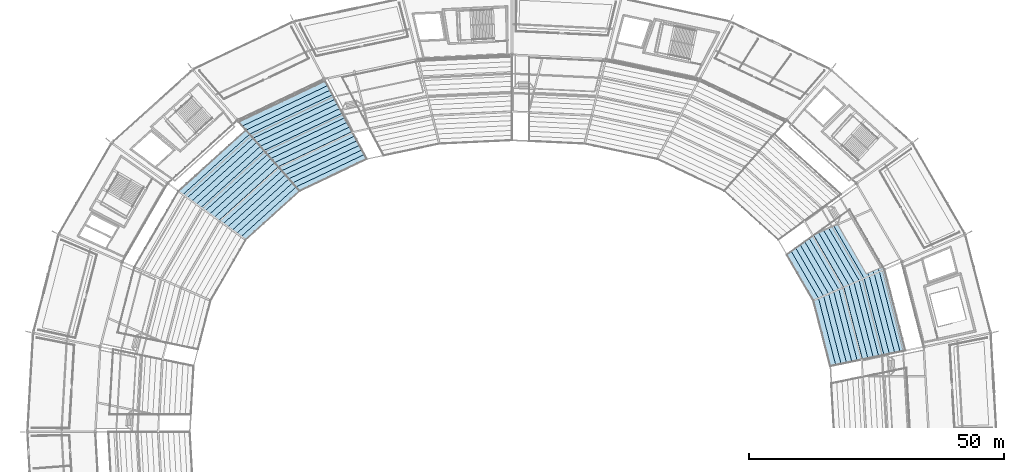
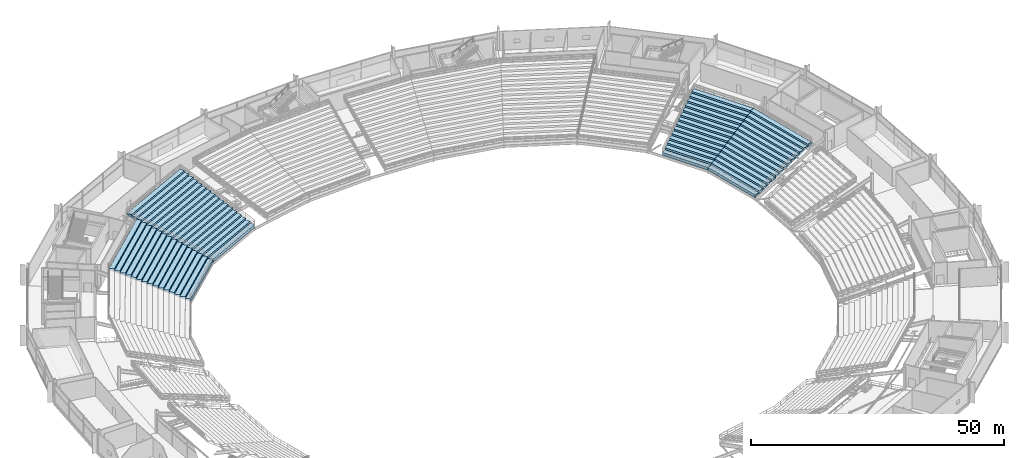
# One storey, part 137 of 186: 4 slabs.
"""IFC4 building model written with IfcOpenShell, lengths in metres."""

from ifc_helpers import new_model, si_unit, direction, frame, origin, place, context, subcontext, project, spatial, polygons, material, layer, layer_set, type_object, element, save


model = new_model("IFC4")

# Units and contexts
model_context = context("Model", 3, precision=1e-05, world=origin(), true_north=direction((0.0, 1.0)))
body_context = subcontext(model_context, "Body", "Model", "MODEL_VIEW")
ifc_project = project(units=[si_unit("LENGTHUNIT", "METRE"), si_unit("AREAUNIT", "SQUARE_METRE"), si_unit("VOLUMEUNIT", "CUBIC_METRE"), si_unit("PLANEANGLEUNIT", "RADIAN"), si_unit("MASSUNIT", "GRAM", prefix="KILO")], contexts=[model_context])

# Site, building, storey
site_placement = place(None, origin())
site = spatial("IfcSite", under=ifc_project, at=site_placement, CompositionType="ELEMENT")
building_placement = place(site_placement, origin())
building = spatial("IfcBuilding", under=site, at=building_placement, Name="Kazemori Nagisa Stadium", CompositionType="ELEMENT")
storey_placement = place(building_placement, frame((0.0, 0.0, 20.39990234375)))
storey = spatial("IfcBuildingStorey", under=building, at=storey_placement, Name="L04", CompositionType="ELEMENT", Elevation=20.39990234375)

# Slabs
ifc_material = material(Name="Concrete C36/45 (Fc36)", Category="concrete")
ifc_layer_1 = layer(ifc_material, 6.419921875, Name="Concrete C36/45 (Fc36)", Category="concrete")
ifc_layer_set_1 = layer_set([ifc_layer_1], Name="Concrete C36/45 (Fc36)")
slab_type_1 = type_object("IfcSlabType", Name="SeatingTier_ST-UP-14E", PredefinedType="USERDEFINED", material=ifc_layer_set_1)
slab_1_placement = place(storey_placement, frame((0.0, 0.0, -20.39990234375)))
element("IfcSlab", 1, at=slab_1_placement, inside=storey, type_object=slab_type_1, Name="Stand upper tier bay 02", ObjectType="SEATING TIER", PredefinedType="USERDEFINED", context=body_context, shape_type="Tessellation", body=[
    polygons([(182.1083984375, 127.7685546875, 18.820068359375), (182.1083984375, 127.7685546875, 19.52001953125), (183.10400390625, 128.20263671875, 19.52001953125), (183.10400390625, 128.20263671875, 19.9599609375), (184.099365234375, 128.636474609375, 19.9599609375), (184.099365234375, 128.636474609375, 20.39990234375), (185.094970703125, 129.070556640625, 20.39990234375), (185.094970703125, 129.070556640625, 20.83984375), (186.090576171875, 129.504638671875, 20.83984375), (186.090576171875, 129.504638671875, 21.27978515625), (187.0859375, 129.9384765625, 21.27978515625), (187.0859375, 129.9384765625, 21.7197265625), (188.08154296875, 130.37255859375, 21.7197265625), (188.08154296875, 130.37255859375, 22.15966796875), (189.0771484375, 130.806640625, 22.15966796875), (189.0771484375, 130.806640625, 22.599609375), (190.072509765625, 131.240478515625, 22.599609375), (190.072509765625, 131.240478515625, 23.03955078125), (191.068115234375, 131.674560546875, 23.03955078125), (191.068115234375, 131.674560546875, 23.4794921875), (192.0634765625, 132.1083984375, 23.4794921875), (192.0634765625, 132.1083984375, 23.91943359375), (193.05908203125, 132.54248046875, 23.91943359375), (193.05908203125, 132.54248046875, 24.359375), (194.0546875, 132.9765625, 24.359375), (194.0546875, 132.9765625, 24.79931640625), (195.050048828125, 133.410400390625, 24.79931640625), (195.050048828125, 133.410400390625, 25.2392578125), (196.045654296875, 133.844482421875, 25.2392578125), (196.045654296875, 133.844482421875, 24.979248046875), (195.050048828125, 133.410400390625, 24.539306640625), (194.0546875, 132.9765625, 24.099365234375), (193.05908203125, 132.54248046875, 23.659423828125), (192.0634765625, 132.1083984375, 23.219482421875), (191.068115234375, 131.674560546875, 22.779541015625), (190.072509765625, 131.240478515625, 22.339599609375), (189.0771484375, 130.806640625, 21.899658203125), (188.08154296875, 130.37255859375, 21.459716796875), (187.0859375, 129.9384765625, 21.019775390625), (186.090576171875, 129.504638671875, 20.579833984375), (185.094970703125, 129.070556640625, 20.139892578125), (184.099365234375, 128.636474609375, 19.699951171875), (183.10400390625, 128.20263671875, 19.260009765625), (185.4306640625, 114.8994140625, 18.820068359375), (185.4306640625, 114.8994140625, 19.52001953125), (186.482177734375, 115.11669921875, 19.52001953125), (186.482177734375, 115.11669921875, 19.9599609375), (187.53369140625, 115.333984375, 19.9599609375), (187.53369140625, 115.333984375, 20.39990234375), (188.5849609375, 115.55126953125, 20.39990234375), (188.5849609375, 115.55126953125, 20.83984375), (189.636474609375, 115.768310546875, 20.83984375), (189.636474609375, 115.768310546875, 21.27978515625), (190.68798828125, 115.985595703125, 21.27978515625), (190.68798828125, 115.985595703125, 21.7197265625), (191.739501953125, 116.202880859375, 21.7197265625), (191.739501953125, 116.202880859375, 22.15966796875), (192.791015625, 116.420166015625, 22.15966796875), (192.791015625, 116.420166015625, 22.599609375), (193.84228515625, 116.637451171875, 22.599609375), (193.84228515625, 116.637451171875, 23.03955078125), (194.893798828125, 116.854736328125, 23.03955078125), (194.893798828125, 116.854736328125, 23.4794921875), (195.9453125, 117.072021484375, 23.4794921875), (195.9453125, 117.072021484375, 23.91943359375), (196.996826171875, 117.2890625, 23.91943359375), (196.996826171875, 117.2890625, 24.359375), (198.048095703125, 117.50634765625, 24.359375), (198.048095703125, 117.50634765625, 24.79931640625), (199.099609375, 117.7236328125, 24.79931640625), (199.099609375, 117.7236328125, 25.2392578125), (200.151123046875, 117.94091796875, 25.2392578125), (200.151123046875, 117.94091796875, 24.979248046875), (199.099609375, 117.7236328125, 24.539306640625), (198.048095703125, 117.50634765625, 24.099365234375), (196.996826171875, 117.2890625, 23.659423828125), (195.9453125, 117.072021484375, 23.219482421875), (194.893798828125, 116.854736328125, 22.779541015625), (193.84228515625, 116.637451171875, 22.339599609375), (192.791015625, 116.420166015625, 21.899658203125), (191.739501953125, 116.202880859375, 21.459716796875), (190.68798828125, 115.985595703125, 21.019775390625), (189.636474609375, 115.768310546875, 20.579833984375), (188.5849609375, 115.55126953125, 20.139892578125), (187.53369140625, 115.333984375, 19.699951171875), (186.482177734375, 115.11669921875, 19.260009765625)], [[[1, 44, 45]], [[1, 45, 2]], [[2, 45, 46]], [[2, 46, 3]], [[3, 46, 47]], [[3, 47, 4]], [[4, 47, 48]], [[4, 48, 5]], [[5, 48, 49]], [[5, 49, 6]], [[6, 49, 50]], [[6, 50, 7]], [[7, 50, 51]], [[7, 51, 8]], [[8, 51, 52]], [[8, 52, 9]], [[9, 52, 53]], [[9, 53, 10]], [[10, 53, 54]], [[10, 54, 11]], [[11, 54, 55]], [[11, 55, 12]], [[12, 55, 56]], [[12, 56, 13]], [[13, 56, 57]], [[13, 57, 14]], [[14, 57, 58]], [[14, 58, 15]], [[15, 58, 59]], [[15, 59, 16]], [[16, 59, 60]], [[16, 60, 17]], [[17, 60, 61]], [[17, 61, 18]], [[18, 61, 62]], [[18, 62, 19]], [[19, 62, 63]], [[19, 63, 20]], [[20, 63, 64]], [[20, 64, 21]], [[21, 64, 65]], [[21, 65, 22]], [[22, 65, 66]], [[22, 66, 23]], [[23, 66, 67]], [[23, 67, 24]], [[24, 67, 68]], [[24, 68, 25]], [[25, 68, 69]], [[25, 69, 26]], [[26, 69, 70]], [[26, 70, 27]], [[27, 70, 71]], [[27, 71, 28]], [[28, 71, 72]], [[28, 72, 29]], [[29, 72, 73]], [[29, 73, 30]], [[30, 73, 31]], [[31, 73, 74]], [[31, 74, 32]], [[32, 74, 75]], [[32, 75, 33]], [[33, 75, 76]], [[33, 76, 34]], [[34, 76, 77]], [[34, 77, 35]], [[35, 77, 78]], [[35, 78, 36]], [[36, 78, 79]], [[36, 79, 37]], [[37, 79, 80]], [[37, 80, 38]], [[38, 80, 81]], [[38, 81, 39]], [[39, 81, 82]], [[39, 82, 40]], [[40, 82, 83]], [[40, 83, 41]], [[41, 83, 84]], [[41, 84, 42]], [[42, 84, 85]], [[42, 85, 43]], [[43, 85, 86]], [[43, 86, 1]], [[1, 86, 44]], [[1, 2, 3]], [[46, 45, 44]], [[1, 3, 43]], [[86, 46, 44]], [[43, 3, 42]], [[85, 46, 86]], [[42, 3, 5]], [[48, 46, 85]], [[3, 4, 5]], [[48, 47, 46]], [[42, 5, 41]], [[84, 48, 85]], [[41, 5, 7]], [[50, 48, 84]], [[5, 6, 7]], [[50, 49, 48]], [[41, 7, 40]], [[83, 50, 84]], [[40, 7, 9]], [[52, 50, 83]], [[7, 8, 9]], [[52, 51, 50]], [[40, 9, 39]], [[82, 52, 83]], [[39, 9, 11]], [[54, 52, 82]], [[9, 10, 11]], [[54, 53, 52]], [[39, 11, 38]], [[81, 54, 82]], [[38, 11, 13]], [[56, 54, 81]], [[11, 12, 13]], [[56, 55, 54]], [[38, 13, 37]], [[80, 56, 81]], [[37, 13, 15]], [[58, 56, 80]], [[13, 14, 15]], [[58, 57, 56]], [[37, 15, 36]], [[79, 58, 80]], [[36, 15, 17]], [[60, 58, 79]], [[15, 16, 17]], [[60, 59, 58]], [[36, 17, 35]], [[78, 60, 79]], [[35, 17, 19]], [[62, 60, 78]], [[17, 18, 19]], [[62, 61, 60]], [[35, 19, 34]], [[77, 62, 78]], [[34, 19, 21]], [[64, 62, 77]], [[19, 20, 21]], [[64, 63, 62]], [[34, 21, 33]], [[76, 64, 77]], [[33, 21, 23]], [[66, 64, 76]], [[21, 22, 23]], [[66, 65, 64]], [[33, 23, 32]], [[75, 66, 76]], [[32, 23, 25]], [[68, 66, 75]], [[23, 24, 25]], [[68, 67, 66]], [[32, 25, 31]], [[74, 68, 75]], [[31, 25, 27]], [[70, 68, 74]], [[25, 26, 27]], [[70, 69, 68]], [[31, 27, 30]], [[73, 70, 74]], [[30, 27, 29]], [[72, 70, 73]], [[27, 28, 29]], [[72, 71, 70]]], closed=True),
])
slab_2_placement = place(storey_placement, frame((0.0, 0.0, -20.39990234375)))
element("IfcSlab", 2, at=slab_2_placement, inside=storey, type_object=slab_type_1, Name="Stand upper tier bay 03", ObjectType="SEATING TIER", PredefinedType="USERDEFINED", context=body_context, shape_type="Tessellation", body=[
    polygons([(176.90478515625, 136.74267578125, 18.820068359375), (176.90478515625, 136.74267578125, 19.52001953125), (177.783935546875, 137.37744140625, 19.52001953125), (177.783935546875, 137.37744140625, 19.9599609375), (178.6630859375, 138.011962890625, 19.9599609375), (178.6630859375, 138.011962890625, 20.39990234375), (179.542236328125, 138.646728515625, 20.39990234375), (179.542236328125, 138.646728515625, 20.83984375), (180.42138671875, 139.281494140625, 20.83984375), (180.42138671875, 139.281494140625, 21.27978515625), (181.300537109375, 139.916015625, 21.27978515625), (181.300537109375, 139.916015625, 21.7197265625), (182.1796875, 140.55078125, 21.7197265625), (182.1796875, 140.55078125, 22.15966796875), (183.058837890625, 141.185546875, 22.15966796875), (183.058837890625, 141.185546875, 22.599609375), (183.93798828125, 141.820068359375, 22.599609375), (183.93798828125, 141.820068359375, 23.03955078125), (184.817138671875, 142.454833984375, 23.03955078125), (184.817138671875, 142.454833984375, 23.4794921875), (185.6962890625, 143.08935546875, 23.4794921875), (185.6962890625, 143.08935546875, 23.91943359375), (186.575439453125, 143.72412109375, 23.91943359375), (186.575439453125, 143.72412109375, 24.359375), (187.45458984375, 144.35888671875, 24.359375), (187.45458984375, 144.35888671875, 24.79931640625), (188.333740234375, 144.993408203125, 24.79931640625), (188.333740234375, 144.993408203125, 25.2392578125), (189.212890625, 145.628173828125, 25.2392578125), (189.212890625, 145.628173828125, 24.979248046875), (188.333740234375, 144.993408203125, 24.539306640625), (187.45458984375, 144.35888671875, 24.099365234375), (186.575439453125, 143.72412109375, 23.659423828125), (185.6962890625, 143.08935546875, 23.219482421875), (184.817138671875, 142.454833984375, 22.779541015625), (183.93798828125, 141.820068359375, 22.339599609375), (183.058837890625, 141.185546875, 21.899658203125), (182.1796875, 140.55078125, 21.459716796875), (181.300537109375, 139.916015625, 21.019775390625), (180.42138671875, 139.281494140625, 20.579833984375), (179.542236328125, 138.646728515625, 20.139892578125), (178.6630859375, 138.011962890625, 19.699951171875), (177.783935546875, 137.37744140625, 19.260009765625), (182.1083984375, 127.7685546875, 18.820068359375), (182.1083984375, 127.7685546875, 19.52001953125), (183.10400390625, 128.20263671875, 19.52001953125), (183.10400390625, 128.20263671875, 19.9599609375), (184.099365234375, 128.636474609375, 19.9599609375), (184.099365234375, 128.636474609375, 20.39990234375), (185.094970703125, 129.070556640625, 20.39990234375), (185.094970703125, 129.070556640625, 20.83984375), (186.090576171875, 129.504638671875, 20.83984375), (186.090576171875, 129.504638671875, 21.27978515625), (187.0859375, 129.9384765625, 21.27978515625), (187.0859375, 129.9384765625, 21.7197265625), (188.08154296875, 130.37255859375, 21.7197265625), (188.08154296875, 130.37255859375, 22.15966796875), (189.0771484375, 130.806640625, 22.15966796875), (189.0771484375, 130.806640625, 22.599609375), (190.072509765625, 131.240478515625, 22.599609375), (190.072509765625, 131.240478515625, 23.03955078125), (191.068115234375, 131.674560546875, 23.03955078125), (191.068115234375, 131.674560546875, 23.4794921875), (192.0634765625, 132.1083984375, 23.4794921875), (192.0634765625, 132.1083984375, 23.91943359375), (193.05908203125, 132.54248046875, 23.91943359375), (193.05908203125, 132.54248046875, 24.359375), (194.0546875, 132.9765625, 24.359375), (194.0546875, 132.9765625, 24.79931640625), (195.050048828125, 133.410400390625, 24.79931640625), (195.050048828125, 133.410400390625, 25.2392578125), (196.045654296875, 133.844482421875, 25.2392578125), (196.045654296875, 133.844482421875, 24.979248046875), (195.050048828125, 133.410400390625, 24.539306640625), (194.0546875, 132.9765625, 24.099365234375), (193.05908203125, 132.54248046875, 23.659423828125), (192.0634765625, 132.1083984375, 23.219482421875), (191.068115234375, 131.674560546875, 22.779541015625), (190.072509765625, 131.240478515625, 22.339599609375), (189.0771484375, 130.806640625, 21.899658203125), (188.08154296875, 130.37255859375, 21.459716796875), (187.0859375, 129.9384765625, 21.019775390625), (186.090576171875, 129.504638671875, 20.579833984375), (185.094970703125, 129.070556640625, 20.139892578125), (184.099365234375, 128.636474609375, 19.699951171875), (183.10400390625, 128.20263671875, 19.260009765625)], [[[1, 44, 45]], [[1, 45, 2]], [[2, 45, 46]], [[2, 46, 3]], [[3, 46, 47]], [[3, 47, 4]], [[4, 47, 48]], [[4, 48, 5]], [[5, 48, 49]], [[5, 49, 6]], [[6, 49, 50]], [[6, 50, 7]], [[7, 50, 51]], [[7, 51, 8]], [[8, 51, 52]], [[8, 52, 9]], [[9, 52, 53]], [[9, 53, 10]], [[10, 53, 54]], [[10, 54, 11]], [[11, 54, 55]], [[11, 55, 12]], [[12, 55, 56]], [[12, 56, 13]], [[13, 56, 57]], [[13, 57, 14]], [[14, 57, 58]], [[14, 58, 15]], [[15, 58, 59]], [[15, 59, 16]], [[16, 59, 60]], [[16, 60, 17]], [[17, 60, 61]], [[17, 61, 18]], [[18, 61, 62]], [[18, 62, 19]], [[19, 62, 63]], [[19, 63, 20]], [[20, 63, 64]], [[20, 64, 21]], [[21, 64, 65]], [[21, 65, 22]], [[22, 65, 66]], [[22, 66, 23]], [[23, 66, 67]], [[23, 67, 24]], [[24, 67, 68]], [[24, 68, 25]], [[25, 68, 69]], [[25, 69, 26]], [[26, 69, 70]], [[26, 70, 27]], [[27, 70, 71]], [[27, 71, 28]], [[28, 71, 72]], [[28, 72, 29]], [[29, 72, 73]], [[29, 73, 30]], [[30, 73, 31]], [[31, 73, 74]], [[31, 74, 32]], [[32, 74, 75]], [[32, 75, 33]], [[33, 75, 76]], [[33, 76, 34]], [[34, 76, 77]], [[34, 77, 35]], [[35, 77, 78]], [[35, 78, 36]], [[36, 78, 79]], [[36, 79, 37]], [[37, 79, 80]], [[37, 80, 38]], [[38, 80, 81]], [[38, 81, 39]], [[39, 81, 82]], [[39, 82, 40]], [[40, 82, 83]], [[40, 83, 41]], [[41, 83, 84]], [[41, 84, 42]], [[42, 84, 85]], [[42, 85, 43]], [[43, 85, 86]], [[43, 86, 1]], [[1, 86, 44]], [[1, 2, 3]], [[46, 45, 44]], [[1, 3, 43]], [[86, 46, 44]], [[43, 3, 42]], [[85, 46, 86]], [[42, 3, 5]], [[48, 46, 85]], [[3, 4, 5]], [[48, 47, 46]], [[42, 5, 41]], [[84, 48, 85]], [[41, 5, 7]], [[50, 48, 84]], [[5, 6, 7]], [[50, 49, 48]], [[41, 7, 40]], [[83, 50, 84]], [[40, 7, 9]], [[52, 50, 83]], [[7, 8, 9]], [[52, 51, 50]], [[40, 9, 39]], [[82, 52, 83]], [[39, 9, 11]], [[54, 52, 82]], [[9, 10, 11]], [[54, 53, 52]], [[39, 11, 38]], [[81, 54, 82]], [[38, 11, 13]], [[56, 54, 81]], [[11, 12, 13]], [[56, 55, 54]], [[38, 13, 37]], [[80, 56, 81]], [[37, 13, 15]], [[58, 56, 80]], [[13, 14, 15]], [[58, 57, 56]], [[37, 15, 36]], [[79, 58, 80]], [[36, 15, 17]], [[60, 58, 79]], [[15, 16, 17]], [[60, 59, 58]], [[36, 17, 35]], [[78, 60, 79]], [[35, 17, 19]], [[62, 60, 78]], [[17, 18, 19]], [[62, 61, 60]], [[35, 19, 34]], [[77, 62, 78]], [[34, 19, 21]], [[64, 62, 77]], [[19, 20, 21]], [[64, 63, 62]], [[34, 21, 33]], [[76, 64, 77]], [[33, 21, 23]], [[66, 64, 76]], [[21, 22, 23]], [[66, 65, 64]], [[33, 23, 32]], [[75, 66, 76]], [[32, 23, 25]], [[68, 66, 75]], [[23, 24, 25]], [[68, 67, 66]], [[32, 25, 31]], [[74, 68, 75]], [[31, 25, 27]], [[70, 68, 74]], [[25, 26, 27]], [[70, 69, 68]], [[31, 27, 30]], [[73, 70, 74]], [[30, 27, 29]], [[72, 70, 73]], [[27, 28, 29]], [[72, 71, 70]]], closed=True),
])
ifc_layer_2 = layer(ifc_material, 6.860107421875, Name="Concrete C36/45 (Fc36)", Category="concrete")
ifc_layer_set_2 = layer_set([ifc_layer_2], Name="Concrete C36/45 (Fc36)")
slab_type_2 = type_object("IfcSlabType", Name="SeatingTier_ST-UP-15W", PredefinedType="USERDEFINED", material=ifc_layer_set_2)
slab_3_placement = place(storey_placement, frame((0.0, 0.0, -20.39990234375)))
element("IfcSlab", 3, at=slab_3_placement, inside=storey, type_object=slab_type_2, Name="Stand upper tier bay 11", ObjectType="SEATING TIER", PredefinedType="USERDEFINED", context=body_context, shape_type="Tessellation", body=[
    polygons([(70.800537109375, 139.68408203125, 18.820068359375), (70.800537109375, 139.68408203125, 19.52001953125), (69.92138671875, 140.31884765625, 19.52001953125), (69.92138671875, 140.31884765625, 19.9599609375), (69.042236328125, 140.953369140625, 19.9599609375), (69.042236328125, 140.953369140625, 20.39990234375), (68.1630859375, 141.588134765625, 20.39990234375), (68.1630859375, 141.588134765625, 20.83984375), (67.283935546875, 142.22265625, 20.83984375), (67.283935546875, 142.22265625, 21.27978515625), (66.40478515625, 142.857421875, 21.27978515625), (66.40478515625, 142.857421875, 21.7197265625), (65.525634765625, 143.4921875, 21.7197265625), (65.525634765625, 143.4921875, 22.15966796875), (64.646484375, 144.126708984375, 22.15966796875), (64.646484375, 144.126708984375, 22.599609375), (63.767333984375, 144.761474609375, 22.599609375), (63.767333984375, 144.761474609375, 23.03955078125), (62.88818359375, 145.39599609375, 23.03955078125), (62.88818359375, 145.39599609375, 23.4794921875), (62.009033203125, 146.03076171875, 23.4794921875), (62.009033203125, 146.03076171875, 23.91943359375), (61.1298828125, 146.66552734375, 23.91943359375), (61.1298828125, 146.66552734375, 24.359375), (60.250732421875, 147.300048828125, 24.359375), (60.250732421875, 147.300048828125, 24.79931640625), (59.37158203125, 147.934814453125, 24.79931640625), (59.37158203125, 147.934814453125, 25.2392578125), (58.492431640625, 148.5693359375, 25.2392578125), (58.492431640625, 148.5693359375, 25.67919921875), (57.61328125, 149.2041015625, 25.67919921875), (57.61328125, 149.2041015625, 25.419189453125), (58.492431640625, 148.5693359375, 24.979248046875), (59.37158203125, 147.934814453125, 24.539306640625), (60.250732421875, 147.300048828125, 24.099365234375), (61.1298828125, 146.66552734375, 23.659423828125), (62.009033203125, 146.03076171875, 23.219482421875), (62.88818359375, 145.39599609375, 22.779541015625), (63.767333984375, 144.761474609375, 22.339599609375), (64.646484375, 144.126708984375, 21.899658203125), (65.525634765625, 143.4921875, 21.459716796875), (66.40478515625, 142.857421875, 21.019775390625), (67.283935546875, 142.22265625, 20.579833984375), (68.1630859375, 141.588134765625, 20.139892578125), (69.042236328125, 140.953369140625, 19.699951171875), (69.92138671875, 140.31884765625, 19.260009765625), (81.372314453125, 149.254150390625, 18.820068359375), (81.372314453125, 149.254150390625, 19.52001953125), (80.671142578125, 150.050048828125, 19.52001953125), (80.671142578125, 150.050048828125, 19.9599609375), (79.97021484375, 150.845947265625, 19.9599609375), (79.97021484375, 150.845947265625, 20.39990234375), (79.26904296875, 151.641845703125, 20.39990234375), (79.26904296875, 151.641845703125, 20.83984375), (78.56787109375, 152.4375, 20.83984375), (78.56787109375, 152.4375, 21.27978515625), (77.866943359375, 153.2333984375, 21.27978515625), (77.866943359375, 153.2333984375, 21.7197265625), (77.165771484375, 154.029296875, 21.7197265625), (77.165771484375, 154.029296875, 22.15966796875), (76.464599609375, 154.8251953125, 22.15966796875), (76.464599609375, 154.8251953125, 22.599609375), (75.763671875, 155.62109375, 22.599609375), (75.763671875, 155.62109375, 23.03955078125), (75.0625, 156.4169921875, 23.03955078125), (75.0625, 156.4169921875, 23.4794921875), (74.361328125, 157.212890625, 23.4794921875), (74.361328125, 157.212890625, 23.91943359375), (73.660400390625, 158.0087890625, 23.91943359375), (73.660400390625, 158.0087890625, 24.359375), (72.959228515625, 158.804443359375, 24.359375), (72.959228515625, 158.804443359375, 24.79931640625), (72.258056640625, 159.600341796875, 24.79931640625), (72.258056640625, 159.600341796875, 25.2392578125), (71.55712890625, 160.396240234375, 25.2392578125), (71.55712890625, 160.396240234375, 25.67919921875), (70.85595703125, 161.192138671875, 25.67919921875), (70.85595703125, 161.192138671875, 25.419189453125), (71.55712890625, 160.396240234375, 24.979248046875), (72.258056640625, 159.600341796875, 24.539306640625), (72.959228515625, 158.804443359375, 24.099365234375), (73.660400390625, 158.0087890625, 23.659423828125), (74.361328125, 157.212890625, 23.219482421875), (75.0625, 156.4169921875, 22.779541015625), (75.763671875, 155.62109375, 22.339599609375), (76.464599609375, 154.8251953125, 21.899658203125), (77.165771484375, 154.029296875, 21.459716796875), (77.866943359375, 153.2333984375, 21.019775390625), (78.56787109375, 152.4375, 20.579833984375), (79.26904296875, 151.641845703125, 20.139892578125), (79.97021484375, 150.845947265625, 19.699951171875), (80.671142578125, 150.050048828125, 19.260009765625)], [[[1, 47, 48]], [[1, 48, 2]], [[2, 48, 49]], [[2, 49, 3]], [[3, 49, 50]], [[3, 50, 4]], [[4, 50, 51]], [[4, 51, 5]], [[5, 51, 52]], [[5, 52, 6]], [[6, 52, 53]], [[6, 53, 7]], [[7, 53, 54]], [[7, 54, 8]], [[8, 54, 55]], [[8, 55, 9]], [[9, 55, 56]], [[9, 56, 10]], [[10, 56, 57]], [[10, 57, 11]], [[11, 57, 58]], [[11, 58, 12]], [[12, 58, 59]], [[12, 59, 13]], [[13, 59, 60]], [[13, 60, 14]], [[14, 60, 61]], [[14, 61, 15]], [[15, 61, 62]], [[15, 62, 16]], [[16, 62, 63]], [[16, 63, 17]], [[17, 63, 64]], [[17, 64, 18]], [[18, 64, 65]], [[18, 65, 19]], [[19, 65, 66]], [[19, 66, 20]], [[20, 66, 67]], [[20, 67, 21]], [[21, 67, 68]], [[21, 68, 22]], [[22, 68, 69]], [[22, 69, 23]], [[23, 69, 70]], [[23, 70, 24]], [[24, 70, 71]], [[24, 71, 25]], [[25, 71, 72]], [[25, 72, 26]], [[26, 72, 73]], [[26, 73, 27]], [[27, 73, 74]], [[27, 74, 28]], [[28, 74, 75]], [[28, 75, 29]], [[29, 75, 76]], [[29, 76, 30]], [[30, 76, 77]], [[30, 77, 31]], [[31, 77, 78]], [[31, 78, 32]], [[32, 78, 33]], [[33, 78, 79]], [[33, 79, 34]], [[34, 79, 80]], [[34, 80, 35]], [[35, 80, 81]], [[35, 81, 36]], [[36, 81, 82]], [[36, 82, 37]], [[37, 82, 83]], [[37, 83, 38]], [[38, 83, 84]], [[38, 84, 39]], [[39, 84, 85]], [[39, 85, 40]], [[40, 85, 86]], [[40, 86, 41]], [[41, 86, 87]], [[41, 87, 42]], [[42, 87, 88]], [[42, 88, 43]], [[43, 88, 89]], [[43, 89, 44]], [[44, 89, 90]], [[44, 90, 45]], [[45, 90, 91]], [[45, 91, 46]], [[46, 91, 92]], [[46, 92, 1]], [[1, 92, 47]], [[1, 2, 3]], [[49, 48, 47]], [[1, 3, 46]], [[92, 49, 47]], [[46, 3, 45]], [[91, 49, 92]], [[45, 3, 5]], [[51, 49, 91]], [[3, 4, 5]], [[51, 50, 49]], [[45, 5, 44]], [[90, 51, 91]], [[44, 5, 7]], [[53, 51, 90]], [[5, 6, 7]], [[53, 52, 51]], [[44, 7, 43]], [[89, 53, 90]], [[43, 7, 9]], [[55, 53, 89]], [[7, 8, 9]], [[55, 54, 53]], [[43, 9, 42]], [[88, 55, 89]], [[42, 9, 11]], [[57, 55, 88]], [[9, 10, 11]], [[57, 56, 55]], [[42, 11, 41]], [[87, 57, 88]], [[41, 11, 13]], [[59, 57, 87]], [[11, 12, 13]], [[59, 58, 57]], [[41, 13, 40]], [[86, 59, 87]], [[40, 13, 15]], [[61, 59, 86]], [[13, 14, 15]], [[61, 60, 59]], [[40, 15, 39]], [[85, 61, 86]], [[39, 15, 17]], [[63, 61, 85]], [[15, 16, 17]], [[63, 62, 61]], [[39, 17, 38]], [[84, 63, 85]], [[38, 17, 19]], [[65, 63, 84]], [[17, 18, 19]], [[65, 64, 63]], [[38, 19, 37]], [[83, 65, 84]], [[37, 19, 21]], [[67, 65, 83]], [[19, 20, 21]], [[67, 66, 65]], [[37, 21, 36]], [[82, 67, 83]], [[36, 21, 23]], [[69, 67, 82]], [[21, 22, 23]], [[69, 68, 67]], [[36, 23, 35]], [[81, 69, 82]], [[35, 23, 25]], [[71, 69, 81]], [[23, 24, 25]], [[71, 70, 69]], [[35, 25, 34]], [[80, 71, 81]], [[34, 25, 27]], [[73, 71, 80]], [[25, 26, 27]], [[73, 72, 71]], [[34, 27, 33]], [[79, 73, 80]], [[33, 27, 29]], [[75, 73, 79]], [[27, 28, 29]], [[75, 74, 73]], [[33, 29, 32]], [[78, 75, 79]], [[32, 29, 31]], [[77, 75, 78]], [[29, 30, 31]], [[77, 76, 75]]], closed=True),
])
ifc_layer_3 = layer(ifc_material, 7.739990234375, Name="Concrete C36/45 (Fc36)", Category="concrete")
ifc_layer_set_3 = layer_set([ifc_layer_3], Name="Concrete C36/45 (Fc36)")
slab_type_3 = type_object("IfcSlabType", Name="SeatingTier_ST-UP-17N", PredefinedType="USERDEFINED", material=ifc_layer_set_3)
slab_4_placement = place(storey_placement, frame((0.0, 0.0, -20.39990234375)))
element("IfcSlab", 4, at=slab_4_placement, inside=storey, type_object=slab_type_3, Name="Stand upper tier bay 10", ObjectType="SEATING TIER", PredefinedType="USERDEFINED", context=body_context, shape_type="Tessellation", body=[
    polygons([(81.372314453125, 149.254150390625, 18.820068359375), (81.372314453125, 149.254150390625, 19.52001953125), (80.671142578125, 150.050048828125, 19.52001953125), (80.671142578125, 150.050048828125, 19.9599609375), (79.97021484375, 150.845947265625, 19.9599609375), (79.97021484375, 150.845947265625, 20.39990234375), (79.26904296875, 151.641845703125, 20.39990234375), (79.26904296875, 151.641845703125, 20.83984375), (78.56787109375, 152.437744140625, 20.83984375), (78.56787109375, 152.437744140625, 21.27978515625), (77.86669921875, 153.2333984375, 21.27978515625), (77.86669921875, 153.2333984375, 21.7197265625), (77.165771484375, 154.029296875, 21.7197265625), (77.165771484375, 154.029296875, 22.15966796875), (76.464599609375, 154.8251953125, 22.15966796875), (76.464599609375, 154.8251953125, 22.599609375), (75.763427734375, 155.62109375, 22.599609375), (75.763427734375, 155.62109375, 23.03955078125), (75.0625, 156.4169921875, 23.03955078125), (75.0625, 156.4169921875, 23.4794921875), (74.361328125, 157.212890625, 23.4794921875), (74.361328125, 157.212890625, 23.91943359375), (73.66015625, 158.0087890625, 23.91943359375), (73.66015625, 158.0087890625, 24.359375), (72.959228515625, 158.8046875, 24.359375), (72.959228515625, 158.8046875, 24.79931640625), (72.258056640625, 159.600341796875, 24.79931640625), (72.258056640625, 159.600341796875, 25.2392578125), (71.556884765625, 160.396240234375, 25.2392578125), (71.556884765625, 160.396240234375, 25.67919921875), (70.855712890625, 161.192138671875, 25.67919921875), (70.855712890625, 161.192138671875, 26.119140625), (70.15478515625, 161.988037109375, 26.119140625), (70.15478515625, 161.988037109375, 26.55908203125), (69.45361328125, 162.783935546875, 26.55908203125), (69.45361328125, 162.783935546875, 26.299072265625), (70.15478515625, 161.988037109375, 25.859130859375), (70.855712890625, 161.192138671875, 25.419189453125), (71.556884765625, 160.396240234375, 24.979248046875), (72.258056640625, 159.600341796875, 24.539306640625), (72.959228515625, 158.8046875, 24.099365234375), (73.66015625, 158.0087890625, 23.659423828125), (74.361328125, 157.212890625, 23.219482421875), (75.0625, 156.4169921875, 22.779541015625), (75.763427734375, 155.62109375, 22.339599609375), (76.464599609375, 154.8251953125, 21.899658203125), (77.165771484375, 154.029296875, 21.459716796875), (77.86669921875, 153.2333984375, 21.019775390625), (78.56787109375, 152.437744140625, 20.579833984375), (79.26904296875, 151.641845703125, 20.139892578125), (79.97021484375, 150.845947265625, 19.699951171875), (80.671142578125, 150.050048828125, 19.260009765625), (94.534912109375, 155.5087890625, 18.820068359375), (94.534912109375, 155.5087890625, 19.52001953125), (94.055419921875, 156.409912109375, 19.52001953125), (94.055419921875, 156.409912109375, 19.9599609375), (93.576171875, 157.311279296875, 19.9599609375), (93.576171875, 157.311279296875, 20.39990234375), (93.0966796875, 158.21240234375, 20.39990234375), (93.0966796875, 158.21240234375, 20.83984375), (92.6171875, 159.113525390625, 20.83984375), (92.6171875, 159.113525390625, 21.27978515625), (92.1376953125, 160.0146484375, 21.27978515625), (92.1376953125, 160.0146484375, 21.7197265625), (91.658447265625, 160.916015625, 21.7197265625), (91.658447265625, 160.916015625, 22.15966796875), (91.178955078125, 161.817138671875, 22.15966796875), (91.178955078125, 161.817138671875, 22.599609375), (90.699462890625, 162.71826171875, 22.599609375), (90.699462890625, 162.71826171875, 23.03955078125), (90.22021484375, 163.61962890625, 23.03955078125), (90.22021484375, 163.61962890625, 23.4794921875), (89.74072265625, 164.520751953125, 23.4794921875), (89.74072265625, 164.520751953125, 23.91943359375), (89.26123046875, 165.421875, 23.91943359375), (89.26123046875, 165.421875, 24.359375), (88.781982421875, 166.3232421875, 24.359375), (88.781982421875, 166.3232421875, 24.79931640625), (88.302490234375, 167.224365234375, 24.79931640625), (88.302490234375, 167.224365234375, 25.2392578125), (87.822998046875, 168.12548828125, 25.2392578125), (87.822998046875, 168.12548828125, 25.67919921875), (87.343505859375, 169.026611328125, 25.67919921875), (87.343505859375, 169.026611328125, 26.119140625), (86.8642578125, 169.927978515625, 26.119140625), (86.8642578125, 169.927978515625, 26.55908203125), (86.384765625, 170.8291015625, 26.55908203125), (86.384765625, 170.8291015625, 26.299072265625), (86.8642578125, 169.927978515625, 25.859130859375), (87.343505859375, 169.026611328125, 25.419189453125), (87.822998046875, 168.12548828125, 24.979248046875), (88.302490234375, 167.224365234375, 24.539306640625), (88.781982421875, 166.3232421875, 24.099365234375), (89.26123046875, 165.421875, 23.659423828125), (89.74072265625, 164.520751953125, 23.219482421875), (90.22021484375, 163.61962890625, 22.779541015625), (90.699462890625, 162.71826171875, 22.339599609375), (91.178955078125, 161.817138671875, 21.899658203125), (91.658447265625, 160.916015625, 21.459716796875), (92.1376953125, 160.0146484375, 21.019775390625), (92.6171875, 159.113525390625, 20.579833984375), (93.0966796875, 158.21240234375, 20.139892578125), (93.576171875, 157.311279296875, 19.699951171875), (94.055419921875, 156.409912109375, 19.260009765625)], [[[1, 53, 54]], [[1, 54, 2]], [[2, 54, 55]], [[2, 55, 3]], [[3, 55, 56]], [[3, 56, 4]], [[4, 56, 57]], [[4, 57, 5]], [[5, 57, 58]], [[5, 58, 6]], [[6, 58, 59]], [[6, 59, 7]], [[7, 59, 60]], [[7, 60, 8]], [[8, 60, 61]], [[8, 61, 9]], [[9, 61, 62]], [[9, 62, 10]], [[10, 62, 63]], [[10, 63, 11]], [[11, 63, 64]], [[11, 64, 12]], [[12, 64, 65]], [[12, 65, 13]], [[13, 65, 66]], [[13, 66, 14]], [[14, 66, 67]], [[14, 67, 15]], [[15, 67, 68]], [[15, 68, 16]], [[16, 68, 69]], [[16, 69, 17]], [[17, 69, 70]], [[17, 70, 18]], [[18, 70, 71]], [[18, 71, 19]], [[19, 71, 72]], [[19, 72, 20]], [[20, 72, 73]], [[20, 73, 21]], [[21, 73, 74]], [[21, 74, 22]], [[22, 74, 75]], [[22, 75, 23]], [[23, 75, 76]], [[23, 76, 24]], [[24, 76, 77]], [[24, 77, 25]], [[25, 77, 78]], [[25, 78, 26]], [[26, 78, 79]], [[26, 79, 27]], [[27, 79, 80]], [[27, 80, 28]], [[28, 80, 81]], [[28, 81, 29]], [[29, 81, 82]], [[29, 82, 30]], [[30, 82, 83]], [[30, 83, 31]], [[31, 83, 84]], [[31, 84, 32]], [[32, 84, 85]], [[32, 85, 33]], [[33, 85, 86]], [[33, 86, 34]], [[34, 86, 87]], [[34, 87, 35]], [[35, 87, 88]], [[35, 88, 36]], [[36, 88, 37]], [[37, 88, 89]], [[37, 89, 38]], [[38, 89, 90]], [[38, 90, 39]], [[39, 90, 91]], [[39, 91, 40]], [[40, 91, 92]], [[40, 92, 41]], [[41, 92, 93]], [[41, 93, 42]], [[42, 93, 94]], [[42, 94, 43]], [[43, 94, 95]], [[43, 95, 44]], [[44, 95, 96]], [[44, 96, 45]], [[45, 96, 97]], [[45, 97, 46]], [[46, 97, 98]], [[46, 98, 47]], [[47, 98, 99]], [[47, 99, 48]], [[48, 99, 100]], [[48, 100, 49]], [[49, 100, 101]], [[49, 101, 50]], [[50, 101, 102]], [[50, 102, 51]], [[51, 102, 103]], [[51, 103, 52]], [[52, 103, 104]], [[52, 104, 1]], [[1, 104, 53]], [[1, 2, 3]], [[55, 54, 53]], [[1, 3, 52]], [[104, 55, 53]], [[52, 3, 51]], [[103, 55, 104]], [[51, 3, 5]], [[57, 55, 103]], [[3, 4, 5]], [[57, 56, 55]], [[51, 5, 50]], [[102, 57, 103]], [[50, 5, 7]], [[59, 57, 102]], [[5, 6, 7]], [[59, 58, 57]], [[50, 7, 49]], [[101, 59, 102]], [[49, 7, 9]], [[61, 59, 101]], [[7, 8, 9]], [[61, 60, 59]], [[49, 9, 48]], [[100, 61, 101]], [[48, 9, 11]], [[63, 61, 100]], [[9, 10, 11]], [[63, 62, 61]], [[48, 11, 47]], [[99, 63, 100]], [[47, 11, 13]], [[65, 63, 99]], [[11, 12, 13]], [[65, 64, 63]], [[47, 13, 46]], [[98, 65, 99]], [[46, 13, 15]], [[67, 65, 98]], [[13, 14, 15]], [[67, 66, 65]], [[46, 15, 45]], [[97, 67, 98]], [[45, 15, 17]], [[69, 67, 97]], [[15, 16, 17]], [[69, 68, 67]], [[45, 17, 44]], [[96, 69, 97]], [[44, 17, 19]], [[71, 69, 96]], [[17, 18, 19]], [[71, 70, 69]], [[44, 19, 43]], [[95, 71, 96]], [[43, 19, 21]], [[73, 71, 95]], [[19, 20, 21]], [[73, 72, 71]], [[43, 21, 42]], [[94, 73, 95]], [[42, 21, 23]], [[75, 73, 94]], [[21, 22, 23]], [[75, 74, 73]], [[42, 23, 41]], [[93, 75, 94]], [[41, 23, 25]], [[77, 75, 93]], [[23, 24, 25]], [[77, 76, 75]], [[41, 25, 40]], [[92, 77, 93]], [[40, 25, 27]], [[79, 77, 92]], [[25, 26, 27]], [[79, 78, 77]], [[40, 27, 39]], [[91, 79, 92]], [[39, 27, 29]], [[81, 79, 91]], [[27, 28, 29]], [[81, 80, 79]], [[39, 29, 38]], [[90, 81, 91]], [[38, 29, 31]], [[83, 81, 90]], [[29, 30, 31]], [[83, 82, 81]], [[38, 31, 37]], [[89, 83, 90]], [[37, 31, 33]], [[85, 83, 89]], [[31, 32, 33]], [[85, 84, 83]], [[37, 33, 36]], [[88, 85, 89]], [[36, 33, 35]], [[87, 85, 88]], [[33, 34, 35]], [[87, 86, 85]]], closed=True),
])

save(model, "model.ifc")
